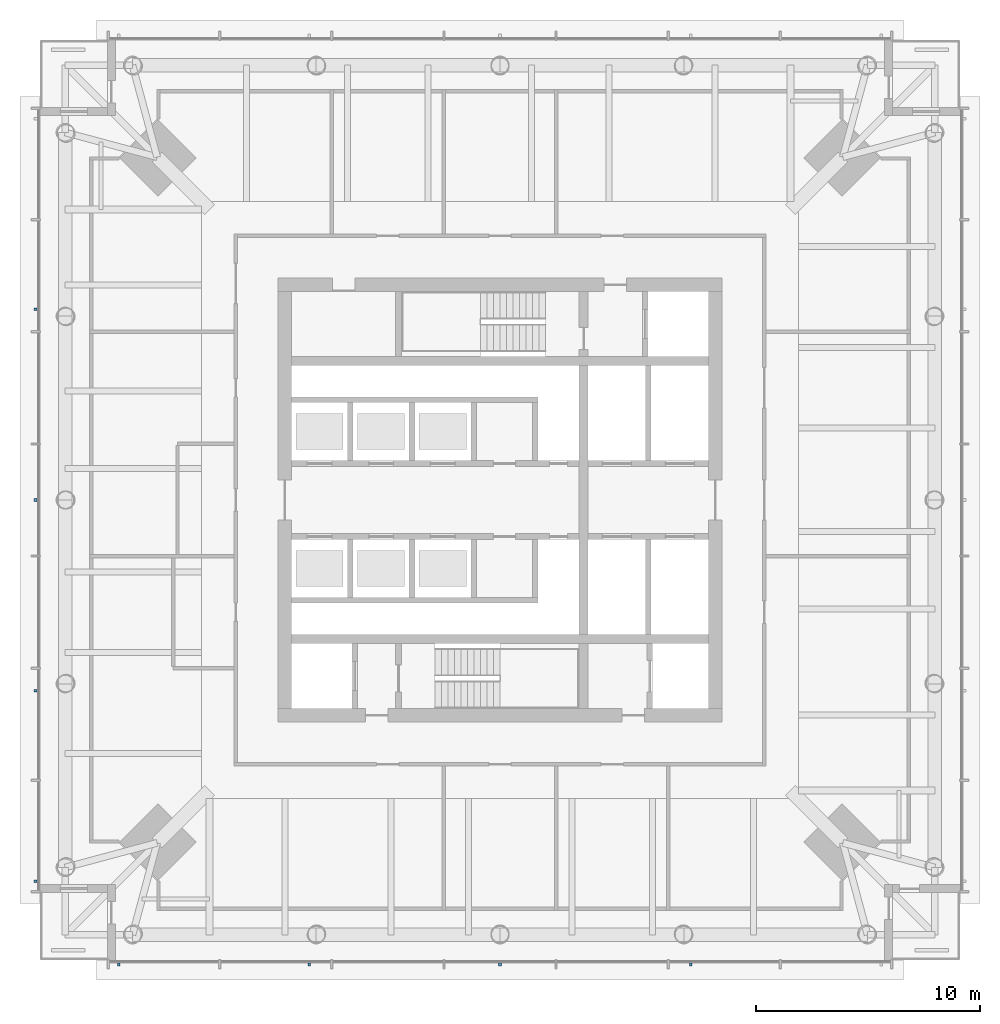
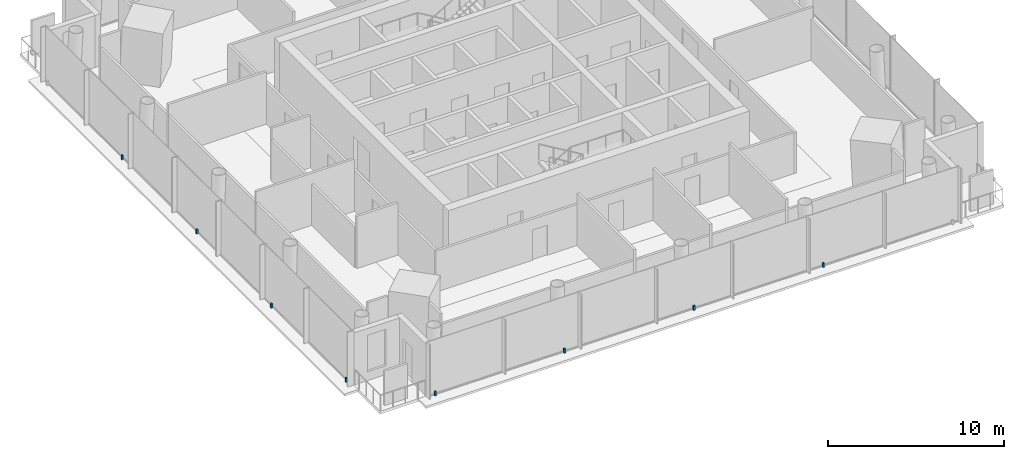
# One storey, part 7 of 12: 8 discrete accessories.
"""IFC4 building model written with IfcOpenShell, lengths in metres."""

import ifcopenshell
import ifcopenshell.guid

model = None  # the IFC model being written
_history = None  # IfcOwnerHistory: only IFC2X3 demands one
_inside = {}  # id of a spatial element -> (the spatial element, [elements in it])
_under = {}  # id of a project, library or spatial element -> (it, [spatial elements below it])
_declared = {}  # id of a project -> (the project, [libraries it declares])
_typed = {}  # id of a type object -> (the type object, [elements of that type])
_made_of = {}  # id of a material, layer set ... -> (it, [elements and type objects made of it])


def new_model(schema):
    """Start an empty IFC model of exactly this schema.

    Asked for "IFC4X3", IfcOpenShell would pick the latest addendum, in which some entities
    have other attributes; the version numbers below select the first issue.
    IFC2X3 requires an IfcOwnerHistory on every rooted entity: one is made here for all.
    """
    global model, _history
    if schema == "IFC4X3":
        model = ifcopenshell.file(schema_version=(4, 3, 0, 0))
    else:
        model = ifcopenshell.file(schema=schema)
    _inside.clear()
    _under.clear()
    _declared.clear()
    _typed.clear()
    _made_of.clear()
    _history = None
    if model.schema == "IFC2X3":
        org = make("IfcOrganization", Name="unknown")
        user = make(
            "IfcPersonAndOrganization",
            ThePerson=make("IfcPerson", FamilyName="unknown"),
            TheOrganization=org,
        )
        app = make(
            "IfcApplication",
            ApplicationDeveloper=org,
            Version="unknown",
            ApplicationFullName="unknown",
            ApplicationIdentifier="unknown",
        )
        _history = make(
            "IfcOwnerHistory",
            OwningUser=user,
            OwningApplication=app,
            ChangeAction="ADDED",
            CreationDate=0,
        )
    return model


def make(cls, **values):
    """One entity of the class cls with the attributes given. An attribute that is None is left unset."""
    return model.create_entity(
        cls, **{name: value for name, value in values.items() if value is not None}
    )


def rooted(cls, **values):
    """An entity with a GlobalId (a new one), such as an element, a storey or a relation."""
    return make(cls, GlobalId=ifcopenshell.guid.new(), OwnerHistory=_history, **values)


def si_unit(unit_type, name, prefix=None):
    """IfcSIUnit, for example si_unit("LENGTHUNIT", "METRE", prefix="MILLI")."""
    return make("IfcSIUnit", UnitType=unit_type, Prefix=prefix, Name=name)


def assignment(units):
    """IfcUnitAssignment: the units of a project."""
    return None if units is None else make("IfcUnitAssignment", Units=units)


def point(xyz):
    """IfcCartesianPoint."""
    return None if xyz is None else make("IfcCartesianPoint", Coordinates=xyz)


def direction(xyz):
    """IfcDirection."""
    return None if xyz is None else make("IfcDirection", DirectionRatios=xyz)


def frame(location, z_axis=None, x_axis=None):
    """IfcAxis2Placement3D, a coordinate frame: its origin and axes. An axis left out is left unset."""
    return make(
        "IfcAxis2Placement3D",
        Location=point(location),
        Axis=direction(z_axis),
        RefDirection=direction(x_axis),
    )


def frame_2d(location, x_axis=None):
    """IfcAxis2Placement2D, a coordinate frame in the plane: its origin and x axis."""
    return make(
        "IfcAxis2Placement2D", Location=point(location), RefDirection=direction(x_axis)
    )


def origin():
    """The frame at (0, 0, 0) with its axes left unset."""
    return frame((0.0, 0.0, 0.0))


def origin_2d():
    """The frame at (0, 0) in the plane with its x axis left unset."""
    return frame_2d((0.0, 0.0))


def place(relative_to, where):
    """IfcLocalPlacement: puts the frame where relative to a parent placement (None: the world)."""
    return make(
        "IfcLocalPlacement", PlacementRelTo=relative_to, RelativePlacement=where
    )


def context(
    kind, dimensions, precision=None, world=None, true_north=None, identifier=None
):
    """IfcGeometricRepresentationContext, for example the 3D "Model" context."""
    return make(
        "IfcGeometricRepresentationContext",
        ContextIdentifier=identifier,
        ContextType=kind,
        CoordinateSpaceDimension=dimensions,
        Precision=precision,
        WorldCoordinateSystem=world,
        TrueNorth=true_north,
    )


def subcontext(parent, identifier, kind, view, scale=None):
    """IfcGeometricRepresentationSubContext, for example "Body" below "Model"."""
    return make(
        "IfcGeometricRepresentationSubContext",
        ContextIdentifier=identifier,
        ContextType=kind,
        ParentContext=parent,
        TargetScale=scale,
        TargetView=view,
    )


def project(units=None, contexts=None):
    """IfcProject with its units and contexts."""
    return rooted(
        "IfcProject",
        Name="project",
        RepresentationContexts=contexts,
        UnitsInContext=assignment(units),
    )


def spatial(cls, under=None, at=None, **own):
    """A site, building, storey or space (cls), placed at a placement, below another one or the project."""
    s = rooted(cls, ObjectPlacement=at, **own)
    if under is not None:
        _under.setdefault(under.id(), (under, []))[1].append(s)
    return s


def profile(cls, at=None, kind="AREA", **sizes):
    """A parametric profile (cls). Its sizes go by their IFC names, for example OverallWidth=200.0."""
    return make(cls, ProfileType=kind, Position=at, **sizes)


def rectangle(**sizes):
    """IfcRectangleProfileDef."""
    return profile("IfcRectangleProfileDef", **sizes)


def extrude(swept, where, along, depth):
    """IfcExtrudedAreaSolid: the profile swept, set in the frame where, extruded along a direction by depth."""
    return make(
        "IfcExtrudedAreaSolid",
        SweptArea=swept,
        Position=where,
        ExtrudedDirection=direction(along),
        Depth=depth,
    )


def shape(context_of_items, identifier, shape_type, items):
    """IfcShapeRepresentation: the items that make up one representation, for example the "Body"."""
    return make(
        "IfcShapeRepresentation",
        ContextOfItems=context_of_items,
        RepresentationIdentifier=identifier,
        RepresentationType=shape_type,
        Items=items,
    )


def material(Name=None, Category=None):
    """IfcMaterial."""
    return make("IfcMaterial", Name=Name, Category=Category)


def made_of(thing, what):
    """Note that an element or type object is made of a material, layer set ...; save() writes the relation."""
    if what is not None:
        _made_of.setdefault(what.id(), (what, []))[1].append(thing)
    return thing


def type_object(cls, material=None, **own):
    """A type object (cls), such as IfcWallType, which elements share."""
    return made_of(rooted(cls, **own), material)


def element(
    cls,
    number,
    at=None,
    inside=None,
    cuts=None,
    type_object=None,
    material=None,
    context=None,
    identifier="Body",
    shape_type=None,
    held_by="IfcProductDefinitionShape",
    body=None,
    shapes=None,
    **own,
):
    """One element of the class cls, such as IfcWall. Its Tag is "e" and its number.

    at: its placement. inside: the storey or other place that contains it. cuts: it is an
    opening in that element (IfcRelVoidsElement). A single representation is given by context,
    identifier, shape_type and body (its items); several are given by shapes. held_by: the class
    of the entity that holds the representations. save() writes the other relations.
    """
    e = rooted(cls, Tag="e%d" % number, ObjectPlacement=at, **own)
    if body is not None:
        shapes = [shape(context, identifier, shape_type, body)]
    if shapes is not None:
        e.Representation = make(held_by, Representations=shapes)
    if inside is not None:
        _inside.setdefault(inside.id(), (inside, []))[1].append(e)
    if cuts is not None:
        rooted(
            "IfcRelVoidsElement", RelatingBuildingElement=cuts, RelatedOpeningElement=e
        )
    if type_object is not None:
        _typed.setdefault(type_object.id(), (type_object, []))[1].append(e)
    return made_of(e, material)


def aggregate(whole, parts):
    """IfcRelAggregates: a whole, such as a stair, and the parts it consists of."""
    return rooted("IfcRelAggregates", RelatingObject=whole, RelatedObjects=parts)


def save(model, path):
    """Write the relations noted so far, then the file.

    IfcRelAggregates (storeys below a building ...), IfcRelContainedInSpatialStructure (elements
    in a storey), IfcRelDefinesByType, IfcRelAssociatesMaterial and IfcRelDeclares: one each for
    every whole, place, type object, material and project.
    """
    for whole, parts in _under.values():
        aggregate(whole, parts)
    for where, things in _inside.values():
        rooted(
            "IfcRelContainedInSpatialStructure",
            RelatedElements=things,
            RelatingStructure=where,
        )
    for kind, things in _typed.values():
        rooted("IfcRelDefinesByType", RelatedObjects=things, RelatingType=kind)
    for what, things in _made_of.values():
        rooted("IfcRelAssociatesMaterial", RelatedObjects=things, RelatingMaterial=what)
    for by, libraries in _declared.values():
        rooted("IfcRelDeclares", RelatingContext=by, RelatedDefinitions=libraries)
    model.write(path)


model = new_model("IFC4")

# Units and contexts
model_context = context("Model", 3, precision=1e-05, world=origin(), true_north=direction((0.0, 1.0)))
body_context = subcontext(model_context, "Body", "Model", "MODEL_VIEW")
ifc_project = project(units=[si_unit("LENGTHUNIT", "METRE"), si_unit("AREAUNIT", "SQUARE_METRE"), si_unit("VOLUMEUNIT", "CUBIC_METRE"), si_unit("PLANEANGLEUNIT", "RADIAN"), si_unit("MASSUNIT", "GRAM", prefix="KILO")], contexts=[model_context])

# Site, building, storey
site_placement = place(None, origin())
site = spatial("IfcSite", under=ifc_project, at=site_placement, CompositionType="ELEMENT")
building_placement = place(site_placement, origin())
building = spatial("IfcBuilding", under=site, at=building_placement, Name="Ostroluk Exchange", CompositionType="ELEMENT")
storey_placement = place(building_placement, frame((0.0, 0.0, 165.39990234375)))
storey = spatial("IfcBuildingStorey", under=building, at=storey_placement, Name="L42", CompositionType="ELEMENT", Elevation=165.39990234375)

# Discrete accessories
ifc_material = material(Name="Stainless steel", Category="steel")
discrete_accessory_type = type_object("IfcDiscreteAccessoryType", Name="Fall-arrest anchor PN-EN 795 type C", PredefinedType="USERDEFINED", material=ifc_material)
for number, where, z_axis, x_axis, name in (
    (1, (28.0, 25.2900390625, 0.0), (0.0, 0.0, 1.0), (1.0, 0.0, 0.0), "Fall-arrest anchor L42 south 1"),
    (2, (36.5, 25.2900390625, 0.0), (0.0, 0.0, 1.0), (1.0, 0.0, 0.0), "Fall-arrest anchor L42 south 2"),
    (3, (45.0, 25.2900390625, 0.0), (0.0, 0.0, 1.0), (1.0, 0.0, 0.0), "Fall-arrest anchor L42 south 3"),
    (4, (53.5, 25.2900390625, 0.0), (0.0, 0.0, 1.0), (1.0, 0.0, 0.0), "Fall-arrest anchor L42 south 4"),
    (5, (24.2900390625, 29.0, 0.0), (0.0, 0.0, 1.0), (1.0, 0.0, 0.0), "Fall-arrest anchor L42 west 1"),
    (6, (24.2900390625, 37.5, 0.0), (0.0, 0.0, 1.0), (1.0, 0.0, 0.0), "Fall-arrest anchor L42 west 2"),
    (7, (24.2900390625, 46.0, 0.0), (0.0, 0.0, 1.0), (1.0, 0.0, 0.0), "Fall-arrest anchor L42 west 3"),
    (8, (24.2900390625, 54.5, 0.0), (0.0, 0.0, 1.0), (1.0, 0.0, 0.0), "Fall-arrest anchor L42 west 4"),
):
    element("IfcDiscreteAccessory", number, at=place(storey_placement, frame(where, z_axis=z_axis, x_axis=x_axis)), inside=storey, type_object=discrete_accessory_type, Name=name, ObjectType="FALL ARREST ANCHOR", PredefinedType="USERDEFINED", context=body_context, shape_type="SweptSolid", body=[
        extrude(rectangle(XDim=0.1201171875, YDim=0.1201171875, at=origin_2d()), origin(), (0.0, 0.0, 1.0), 0.300048828125),
    ])

save(model, "model.ifc")
